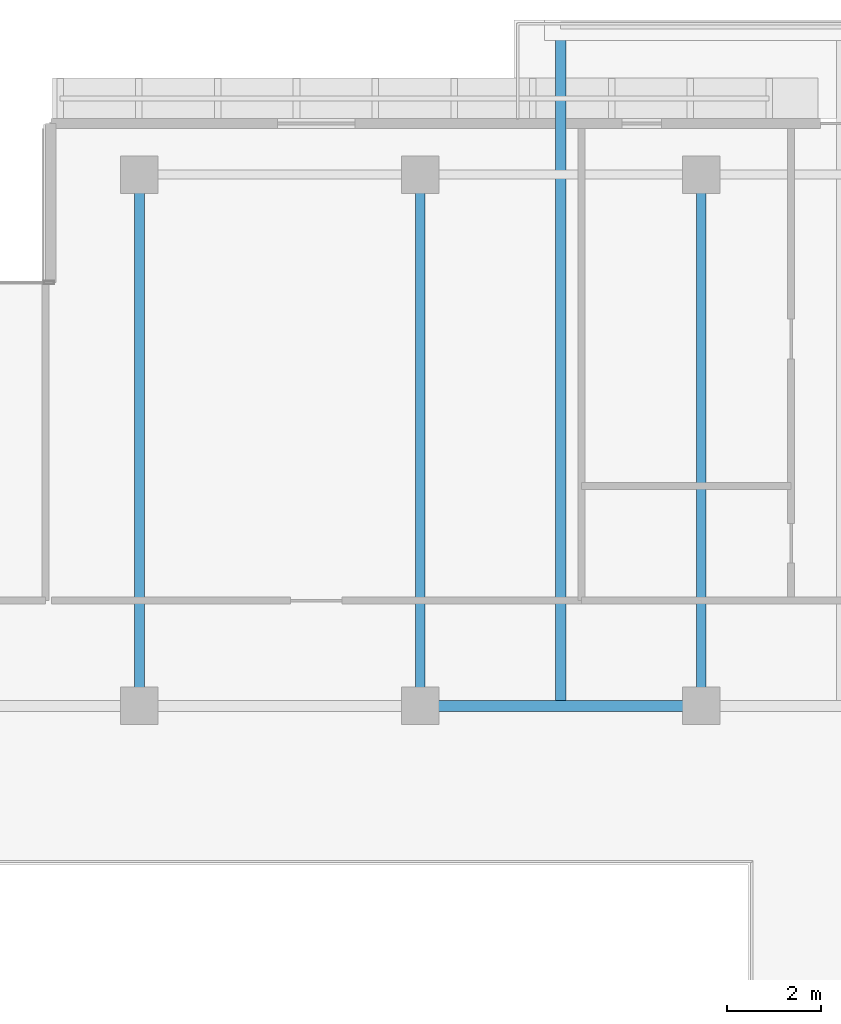
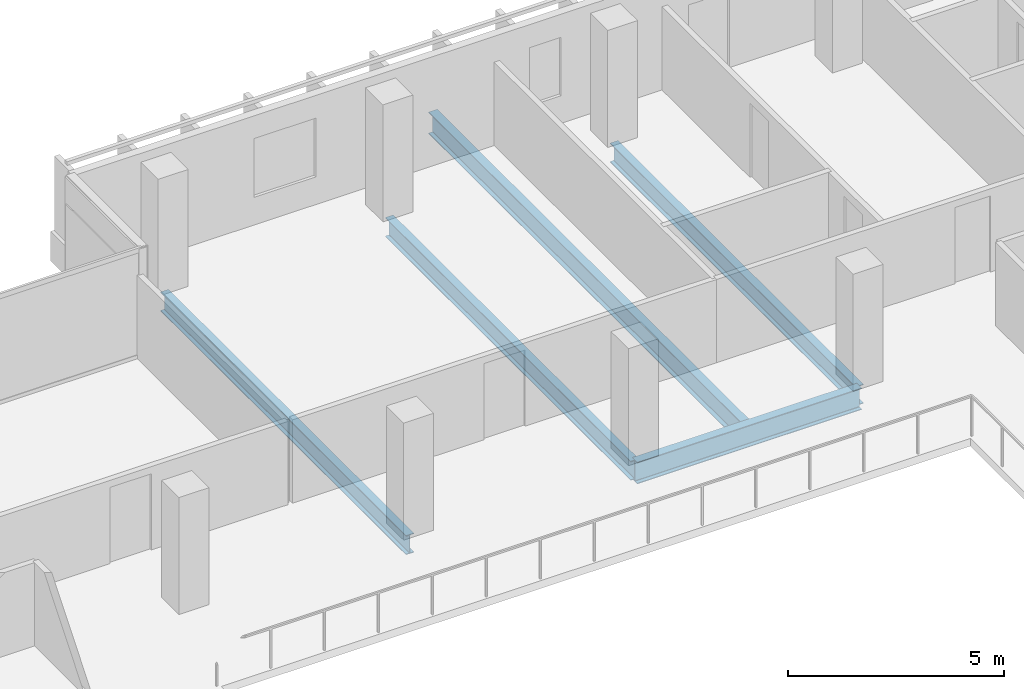
# One storey, part 7 of 22: 5 beams.
"""IFC4 building model written with IfcOpenShell, lengths in metres."""

from ifc_helpers import new_model, si_unit, direction, frame, origin, origin_2d, place, context, subcontext, project, spatial, i_section, extrude, material, material_profile, profile_set, type_object, element, save


model = new_model("IFC4")

# Units and contexts
model_context = context("Model", 3, precision=1e-05, world=origin(), true_north=direction((0.0, 1.0)))
body_context = subcontext(model_context, "Body", "Model", "MODEL_VIEW")
ifc_project = project(units=[si_unit("LENGTHUNIT", "METRE"), si_unit("AREAUNIT", "SQUARE_METRE"), si_unit("VOLUMEUNIT", "CUBIC_METRE"), si_unit("PLANEANGLEUNIT", "RADIAN"), si_unit("MASSUNIT", "GRAM", prefix="KILO")], contexts=[model_context])

# Site, building, storey
site_placement = place(None, origin())
site = spatial("IfcSite", under=ifc_project, at=site_placement, CompositionType="ELEMENT")
building_placement = place(site_placement, origin())
building = spatial("IfcBuilding", under=site, at=building_placement, Name="Tanjung Sevakor Pilgrim Tower", CompositionType="ELEMENT")
storey_placement = place(building_placement, frame((0.0, 0.0, 195.030029296875)))
storey = spatial("IfcBuildingStorey", under=building, at=storey_placement, Name="L54", CompositionType="ELEMENT", Elevation=195.030029296875)

# Beams
ifc_material_1 = material(Name="Steel S355J2", Category="steel")
ifc_material_profile_1 = material_profile(ifc_material_1, i_section(OverallWidth=0.22900390625, OverallDepth=0.6123046875, WebThickness=0.011962890625, FlangeThickness=0.01953125, FilletRadius=0.0126953125, at=origin_2d()))
ifc_profile_set_1 = profile_set([ifc_material_profile_1], Name="Steel S355J2")
beam_type_1 = type_object("IfcBeamType", Name="BM-B-G4-UB_610x229x125", PredefinedType="BEAM", material=ifc_profile_set_1)
beam_1_placement = place(storey_placement, frame((60.0, 42.60009765625, -0.526123046875), z_axis=(1.0, 0.0, 0.0), x_axis=(0.0, 1.0, 0.0)))
element("IfcBeam", 1, at=beam_1_placement, inside=storey, type_object=beam_type_1, Name="L54 Primary Floor Girder MAIN Y426-06", PredefinedType="BEAM", context=body_context, shape_type="SweptSolid", body=[
    extrude(i_section(OverallWidth=0.22900390625, OverallDepth=0.6123046875, WebThickness=0.011962890625, FlangeThickness=0.01953125, FilletRadius=0.0126953125, at=origin_2d()), origin(), (0.0, 0.0, 1.0), 6.0),
])
beam_2_placement = place(storey_placement, frame((63.0, 42.714599609375, -0.526123046875), z_axis=(0.0, 1.0, 0.0), x_axis=(-1.0, 0.0, 0.0)))
element("IfcBeam", 2, at=beam_2_placement, inside=storey, type_object=beam_type_1, Name="L54 Balcony Cantilever Beam MAIN-N2-1", PredefinedType="BEAM", context=body_context, shape_type="SweptSolid", body=[
    extrude(i_section(OverallWidth=0.22900390625, OverallDepth=0.6123046875, WebThickness=0.011962890625, FlangeThickness=0.01953125, FilletRadius=0.0126953125, at=origin_2d()), origin(), (0.0, 0.0, 1.0), 14.415283203125),
])
ifc_material_2 = material(Name="Steel S355J2", Category="steel")
ifc_material_profile_2 = material_profile(ifc_material_2, i_section(OverallWidth=0.2119140625, OverallDepth=0.54443359375, WebThickness=0.0126953125, FlangeThickness=0.021240234375, FilletRadius=0.0126953125, at=origin_2d()))
ifc_profile_set_2 = profile_set([ifc_material_profile_2], Name="Steel S355J2")
beam_type_2 = type_object("IfcBeamType", Name="BM-B-G5-UB_533x210x122", PredefinedType="BEAM", material=ifc_profile_set_2)
for number, where, z_axis, x_axis, name in (
    (3, (54.0, 42.60009765625, -0.492431640625), (0.0, 1.0, 0.0), (-1.0, 0.0, 0.0), "L54 MAIN Girder 007"),
    (4, (60.0, 42.60009765625, -0.492431640625), (0.0, 1.0, 0.0), (-1.0, 0.0, 0.0), "L54 MAIN Girder 009"),
    (5, (66.0, 42.60009765625, -0.492431640625), (0.0, 1.0, 0.0), (-1.0, 0.0, 0.0), "L54 MAIN Girder 011"),
):
    element("IfcBeam", number, at=place(storey_placement, frame(where, z_axis=z_axis, x_axis=x_axis)), inside=storey, type_object=beam_type_2, Name=name, PredefinedType="BEAM", context=body_context, shape_type="SweptSolid", body=[
        extrude(i_section(OverallWidth=0.2119140625, OverallDepth=0.54443359375, WebThickness=0.0126953125, FlangeThickness=0.021240234375, FilletRadius=0.0126953125, at=origin_2d()), origin(), (0.0, 0.0, 1.0), 11.349853515625),
    ])

save(model, "model.ifc")
